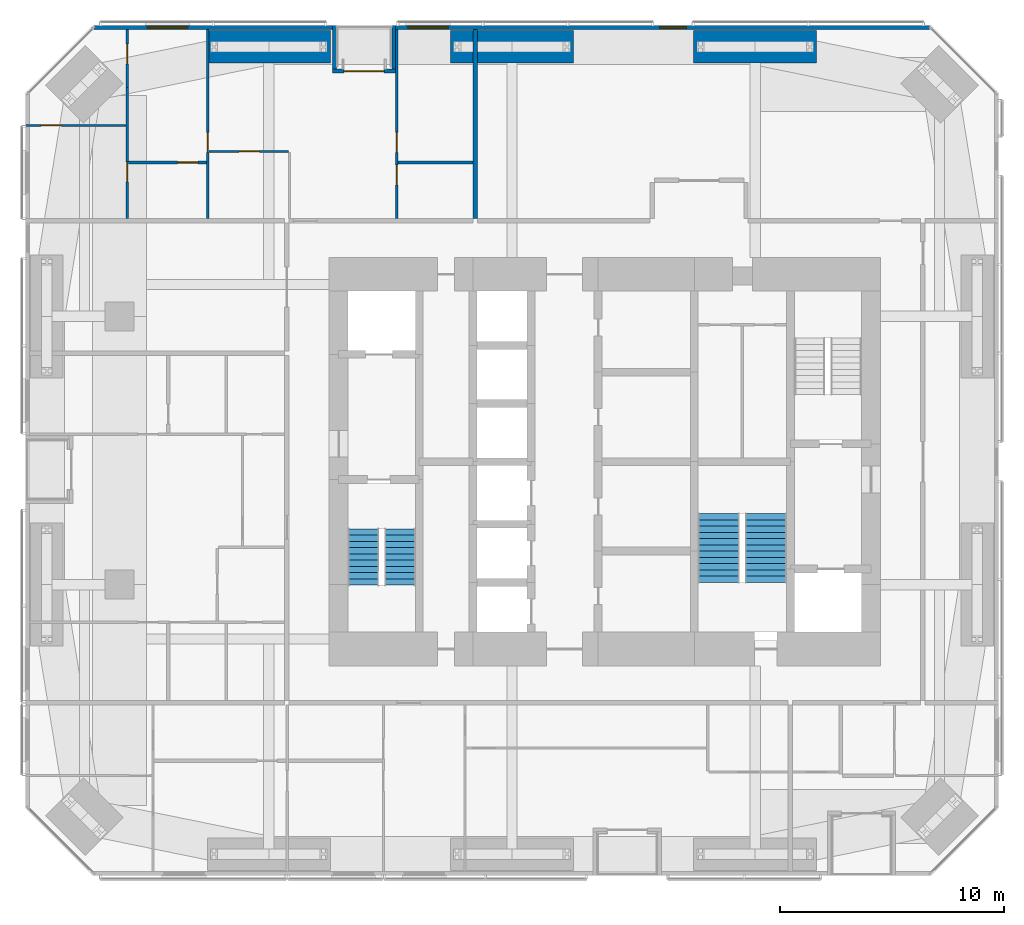
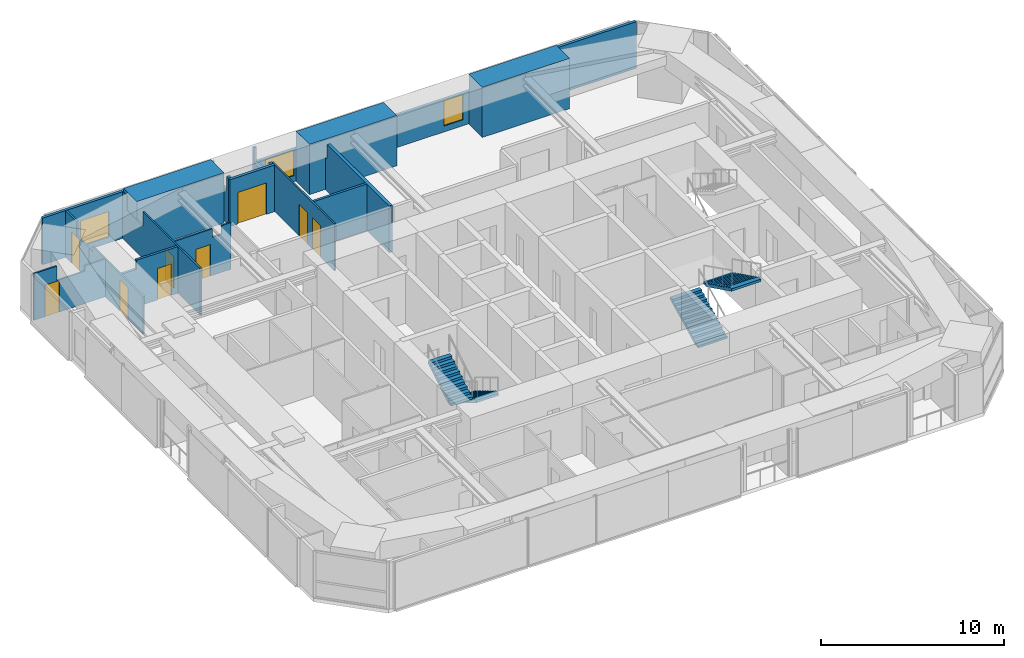
# One storey, part 22 of 24: 17 walls, 9 doors, 4 stair flights, 3 windows, 12 openings, 2 elements without a shape of their own.
"""IFC4 building model written with IfcOpenShell, lengths in metres."""

from ifc_helpers import new_model, si_unit, direction, frame, frame_2d, origin, place, context, subcontext, project, spatial, polyline, rectangle, outline, extrude, material, layer, layer_set, constituent, constituent_set, type_object, element, fill, aggregate, save


model = new_model("IFC4")

# Units and contexts
model_context = context("Model", 3, precision=1e-05, world=origin(), true_north=direction((0.0, 1.0)))
body_context = subcontext(model_context, "Body", "Model", "MODEL_VIEW")
ifc_project = project(units=[si_unit("LENGTHUNIT", "METRE"), si_unit("AREAUNIT", "SQUARE_METRE"), si_unit("VOLUMEUNIT", "CUBIC_METRE"), si_unit("PLANEANGLEUNIT", "RADIAN"), si_unit("MASSUNIT", "GRAM", prefix="KILO")], contexts=[model_context])

# Site, building, storey
site_placement = place(None, origin())
site = spatial("IfcSite", under=ifc_project, at=site_placement, CompositionType="ELEMENT")
building_placement = place(site_placement, origin())
building = spatial("IfcBuilding", under=site, at=building_placement, Name="Jalousie Tower", CompositionType="ELEMENT")
storey_placement = place(building_placement, frame((0.0, 0.0, 131.64990234375)))
storey = spatial("IfcBuildingStorey", under=building, at=storey_placement, Name="L36", CompositionType="ELEMENT", Elevation=131.64990234375)

# Wall, opening, door
ifc_material_1 = material(Name="Concrete block ASTM C90", Category="concrete")
ifc_constituent_1 = constituent(ifc_material_1, Name="Body")
ifc_material_2 = material(Name="Render")
ifc_constituent_2 = constituent(ifc_material_2, Name="Finish")
ifc_constituent_set_1 = constituent_set(constituents=[ifc_constituent_1, ifc_constituent_2])
wall_type_1 = type_object("IfcWallType", Name="BATHROOM WALL 150", PredefinedType="PLUMBINGWALL", material=ifc_constituent_set_1)
wall_1_placement = place(storey_placement, frame((10.60009765625, 31.875, 0.0), z_axis=(0.0, 0.0, 1.0), x_axis=(1.0, 0.0, 0.0)))
wall_1 = element("IfcWall", 1, at=wall_1_placement, inside=storey, type_object=wall_type_1, Name="Bathroom Wall 150 L36", PredefinedType="PLUMBINGWALL", context=body_context, shape_type="SweptSolid", body=[
    extrude(outline(polyline([(0.0, 0.0), (3.5, 0.0), (3.5, 3.110107421875), (0.885009765625, 3.110107421875), (0.885009765625, 2.510009765625), (0.0, 2.510009765625), (0.0, 3.110107421875), (0.0, 0.0)])), frame((0.0, 0.074951171875, 0.0), z_axis=(0.0, -1.0, 0.0), x_axis=(1.0, 0.0, 0.0)), (0.0, 0.0, 1.0), 0.14990234375),
])
opening_1_placement = place(wall_1_placement, frame((2.199951171875, 0.0, 0.0)))
opening_1 = element("IfcOpeningElement", 2, at=opening_1_placement, cuts=wall_1, Name="Opening D3", PredefinedType="OPENING", context=body_context, shape_type="SweptSolid", body=[
    extrude(rectangle(XDim=0.89990234375, YDim=2.10009765625, at=frame_2d((0.449951171875, 1.050048828125))), frame((0.0, 0.0849609375, 0.0), z_axis=(0.0, -1.0, 0.0), x_axis=(1.0, 0.0, 0.0)), (0.0, 0.0, 1.0), 0.169921875),
])
ifc_material_3 = material(Name="Timber door", Category="wood")
door_type_1 = type_object("IfcDoorType", Name="BATHROOM DOOR 900", OperationType="SINGLE_SWING_LEFT", PredefinedType="DOOR", material=ifc_material_3)
door_1_placement = place(opening_1_placement, frame((0.89990234375, 0.0, 0.0), z_axis=(0.0, 0.0, 1.0), x_axis=(-1.0, 0.0, 0.0)))
door_1 = element("IfcDoor", 3, at=door_1_placement, inside=storey, type_object=door_type_1, Name="Apartment 3603 bedroom 2 bathroom door", OperationType="SINGLE_SWING_LEFT", OverallHeight=2.10009765625, OverallWidth=0.89990234375, PredefinedType="DOOR", context=body_context, shape_type="SweptSolid", body=[
    extrude(rectangle(XDim=0.89990234375, YDim=2.10009765625, at=frame_2d((0.449951171875, 1.050048828125))), frame((0.0, 0.02490234375, 0.0), z_axis=(0.0, -1.0, 0.0), x_axis=(1.0, 0.0, 0.0)), (0.0, 0.0, 1.0), 0.050048828125),
])
fill(opening_1, door_1)

# Wall
wall_2_placement = place(storey_placement, frame((22.64990234375, 31.875, 0.0), z_axis=(0.0, 0.0, 1.0), x_axis=(1.0, 0.0, 0.0)))
element("IfcWall", 4, at=wall_2_placement, inside=storey, type_object=wall_type_1, Name="Bathroom Wall 150 L36", PredefinedType="PLUMBINGWALL", context=body_context, shape_type="SweptSolid", body=[
    extrude(rectangle(XDim=3.35009765625, YDim=0.14990234375, at=frame_2d((1.675048828125, 0.0))), origin(), (0.0, 0.0, 1.0), 3.110107421875),
])

# Wall, openings, windows
ifc_material_4 = material(Name="Concrete f'c 40 MPa", Category="concrete")
ifc_constituent_3 = constituent(ifc_material_4, Name="Body")
ifc_material_5 = material(Name="Render, pastel sea green")
ifc_constituent_4 = constituent(ifc_material_5, Name="Finish")
ifc_constituent_set_2 = constituent_set(constituents=[ifc_constituent_3, ifc_constituent_4])
wall_type_2 = type_object("IfcWallType", Name="EXTERNAL WALL 175 SEA GREEN RENDER", PredefinedType="SOLIDWALL", material=ifc_constituent_set_2)
wall_3_placement = place(storey_placement, frame((46.44873046875, 37.91259765625, 0.0), z_axis=(0.0, 0.0, 1.0), x_axis=(-1.0, 0.0, 0.0)))
wall_3 = element("IfcWall", 5, at=wall_3_placement, inside=storey, type_object=wall_type_2, Name="External Wall 175 Sea Green Render L36", PredefinedType="SOLIDWALL", context=body_context, shape_type="SweptSolid", body=[
    extrude(outline(polyline([(0.0, 0.0), (23.898681640625, 0.0), (23.898681640625, 2.150146484375), (7.82373046875, 2.150146484375), (7.82373046875, 3.110107421875), (7.66552734375, 3.110107421875), (7.66552734375, 2.150146484375), (7.620361328125, 2.150146484375), (7.620361328125, 3.110107421875), (0.0, 3.110107421875), (0.0, 0.0)])), frame((0.0, 0.08740234375, 0.0), z_axis=(0.0, -1.0, 0.0), x_axis=(1.0, 0.0, 0.0)), (0.0, 0.0, 1.0), 0.175048828125),
])
opening_2_placement = place(wall_3_placement, frame((10.900390625, 0.0, 0.39990234375)))
opening_2 = element("IfcOpeningElement", 6, at=opening_2_placement, cuts=wall_3, Name="Opening W-COR170", PredefinedType="OPENING", context=body_context, shape_type="SweptSolid", body=[
    extrude(rectangle(XDim=1.199951171875, YDim=1.699951171875, at=frame_2d((0.60009765625, 0.85009765625))), frame((0.0, 0.097412109375, 0.0), z_axis=(0.0, -1.0, 0.0), x_axis=(1.0, 0.0, 0.0)), (0.0, 0.0, 1.0), 0.195068359375),
])
opening_3_placement = place(wall_3_placement, frame((21.55859375, 0.0, 0.39990234375)))
opening_3 = element("IfcOpeningElement", 7, at=opening_3_placement, cuts=wall_3, Name="Opening W-BED170", PredefinedType="OPENING", context=body_context, shape_type="SweptSolid", body=[
    extrude(rectangle(XDim=1.800048828125, YDim=1.699951171875, at=frame_2d((0.89990234375, 0.85009765625))), frame((0.0, 0.097412109375, 0.0), z_axis=(0.0, -1.0, 0.0), x_axis=(1.0, 0.0, 0.0)), (0.0, 0.0, 1.0), 0.195068359375),
])
ifc_material_6 = material(Name="Aluminium frame, impact-rated glazing", Category="aluminium")
window_type_1 = type_object("IfcWindowType", Name="WINDOW BED 1800x1700", PartitioningType="SINGLE_PANEL", PredefinedType="WINDOW", material=ifc_material_6)
window_1_placement = place(opening_3_placement, origin())
window_1 = element("IfcWindow", 8, at=window_1_placement, inside=storey, type_object=window_type_1, Name="Apartment 3603 bedroom 3 window", OverallHeight=1.699951171875, OverallWidth=1.800048828125, PartitioningType="SINGLE_PANEL", PredefinedType="WINDOW", context=body_context, shape_type="SweptSolid", body=[
    extrude(rectangle(XDim=1.800048828125, YDim=1.699951171875, at=frame_2d((0.89990234375, 0.85009765625))), frame((0.0, 0.030029296875, 0.0), z_axis=(0.0, -1.0, 0.0), x_axis=(1.0, 0.0, 0.0)), (0.0, 0.0, 1.0), 0.06005859375),
])
fill(opening_3, window_1)
ifc_material_7 = material(Name="Aluminium frame, impact-rated glazing", Category="aluminium")
window_type_2 = type_object("IfcWindowType", Name="WINDOW COR 1200x1700", PartitioningType="SINGLE_PANEL", PredefinedType="WINDOW", material=ifc_material_7)
window_2_placement = place(opening_2_placement, origin())
window_2 = element("IfcWindow", 9, at=window_2_placement, inside=storey, type_object=window_type_2, Name="Residents' bay-view lounge window", OverallHeight=1.699951171875, OverallWidth=1.199951171875, PartitioningType="SINGLE_PANEL", PredefinedType="WINDOW", context=body_context, shape_type="SweptSolid", body=[
    extrude(rectangle(XDim=1.199951171875, YDim=1.699951171875, at=frame_2d((0.60009765625, 0.85009765625))), frame((0.0, 0.030029296875, 0.0), z_axis=(0.0, -1.0, 0.0), x_axis=(1.0, 0.0, 0.0)), (0.0, 0.0, 1.0), 0.06005859375),
])
fill(opening_2, window_2)

# Wall, opening, window
wall_4_placement = place(storey_placement, frame((19.72509765625, 37.91259765625, 0.0), z_axis=(0.0, 0.0, 1.0), x_axis=(-1.0, 0.0, 0.0)))
wall_4 = element("IfcWall", 10, at=wall_4_placement, inside=storey, type_object=wall_type_2, Name="External Wall 175 Sea Green Render L36", PredefinedType="SOLIDWALL", context=body_context, shape_type="SweptSolid", body=[
    extrude(outline(polyline([(0.0, 0.0), (10.673828125, 0.0), (10.673583984375, 3.110107421875), (3.05322265625, 3.110107421875), (3.05322265625, 2.150146484375), (3.008056640625, 2.150146484375), (3.008056640625, 3.110107421875), (2.85009765625, 3.110107421875), (2.85009765625, 2.150146484375), (0.0, 2.150146484375), (0.0, 0.0)])), frame((0.0, 0.08740234375, 0.0), z_axis=(0.0, -1.0, 0.0), x_axis=(1.0, 0.0, 0.0)), (0.0, 0.0, 1.0), 0.175048828125),
])
opening_4_placement = place(wall_4_placement, frame((6.47509765625, 0.0, 0.39990234375)))
opening_4 = element("IfcOpeningElement", 11, at=opening_4_placement, cuts=wall_4, Name="Opening W-BED170", PredefinedType="OPENING", context=body_context, shape_type="SweptSolid", body=[
    extrude(rectangle(XDim=1.800048828125, YDim=1.699951171875, at=frame_2d((0.89990234375, 0.85009765625))), frame((0.0, 0.097412109375, 0.0), z_axis=(0.0, -1.0, 0.0), x_axis=(1.0, 0.0, 0.0)), (0.0, 0.0, 1.0), 0.195068359375),
])
window_3_placement = place(opening_4_placement, origin())
window_3 = element("IfcWindow", 12, at=window_3_placement, inside=storey, type_object=window_type_1, Name="Apartment 3603 bedroom 2 window", OverallHeight=1.699951171875, OverallWidth=1.800048828125, PartitioningType="SINGLE_PANEL", PredefinedType="WINDOW", context=body_context, shape_type="SweptSolid", body=[
    extrude(rectangle(XDim=1.800048828125, YDim=1.699951171875, at=frame_2d((0.89990234375, 0.85009765625))), frame((0.0, 0.030029296875, 0.0), z_axis=(0.0, -1.0, 0.0), x_axis=(1.0, 0.0, 0.0)), (0.0, 0.0, 1.0), 0.06005859375),
])
fill(opening_4, window_3)

# Wall, opening, door
wall_5_placement = place(storey_placement, frame((22.550048828125, 35.96240234375, 0.0), z_axis=(0.0, 0.0, 1.0), x_axis=(-1.0, 0.0, 0.0)))
wall_5 = element("IfcWall", 13, at=wall_5_placement, inside=storey, type_object=wall_type_2, Name="External Wall 175 Sea Green Render L36", PredefinedType="SOLIDWALL", context=body_context, shape_type="SweptSolid", body=[
    extrude(rectangle(XDim=2.824951171875, YDim=0.175048828125, at=frame_2d((1.41259765625, 0.0))), origin(), (0.0, 0.0, 1.0), 3.110107421875),
])
opening_5_placement = place(wall_5_placement, frame((0.512451171875, 0.0, 0.0)))
opening_5 = element("IfcOpeningElement", 14, at=opening_5_placement, cuts=wall_5, Name="Opening D-BAL21", PredefinedType="OPENING", context=body_context, shape_type="SweptSolid", body=[
    extrude(rectangle(XDim=1.800048828125, YDim=2.10009765625, at=frame_2d((0.89990234375, 1.050048828125))), frame((0.0, 0.097412109375, 0.0), z_axis=(0.0, -1.0, 0.0), x_axis=(1.0, 0.0, 0.0)), (0.0, 0.0, 1.0), 0.195068359375),
])
ifc_material_8 = material(Name="Aluminium frame, impact-rated glazing", Category="aluminium")
door_type_2 = type_object("IfcDoorType", Name="BALCONY DOOR 1800x2100", OperationType="SLIDING_TO_LEFT", PredefinedType="DOOR", material=ifc_material_8)
door_2_placement = place(opening_5_placement, origin())
door_2 = element("IfcDoor", 15, at=door_2_placement, inside=storey, type_object=door_type_2, Name="Apartment 3603 living and dining room loggia door", OperationType="SLIDING_TO_LEFT", OverallHeight=2.10009765625, OverallWidth=1.800048828125, PredefinedType="DOOR", context=body_context, shape_type="SweptSolid", body=[
    extrude(rectangle(XDim=1.800048828125, YDim=2.10009765625, at=frame_2d((0.89990234375, 1.050048828125))), frame((0.0, 0.02490234375, 0.0), z_axis=(0.0, -1.0, 0.0), x_axis=(1.0, 0.0, 0.0)), (0.0, 0.0, 1.0), 0.050048828125),
])
fill(opening_5, door_2)

# Walls
for number, where, z_axis, x_axis, name in (
    (16, (22.46240234375, 38.0, 0.0), (0.0, 0.0, 1.0), (0.0, -1.0, 0.0), "External Wall 175 Sea Green Render L36"),
    (17, (19.8125, 38.0, 0.0), (0.0, 0.0, 1.0), (0.0, -1.0, 0.0), "External Wall 175 Sea Green Render L36"),
):
    element("IfcWall", number, at=place(storey_placement, frame(where, z_axis=z_axis, x_axis=x_axis)), inside=storey, type_object=wall_type_2, Name=name, PredefinedType="SOLIDWALL", context=body_context, shape_type="SweptSolid", body=[
        extrude(outline(polyline([(0.0, 0.0), (1.949951171875, 0.0), (1.949951171875, 3.110107421875), (1.75, 3.110107421875), (1.75, 2.150146484375), (0.14990234375, 2.150146484375), (0.14990234375, 3.110107421875), (0.0, 3.110107421875), (0.0, 0.0)])), frame((0.0, 0.08740234375, 0.0), z_axis=(0.0, -1.0, 0.0), x_axis=(1.0, 0.0, 0.0)), (0.0, 0.0, 1.0), 0.175048828125),
    ])

# Wall, opening, door
ifc_material_9 = material(Name="Gypsum board", Category="gypsum")
ifc_constituent_5 = constituent(ifc_material_9, Name="Body")
ifc_material_10 = material(Name="Light-gauge steel studs ASTM A653 SS Grade 33", Category="steel")
ifc_constituent_6 = constituent(ifc_material_10, Name="Framing")
ifc_constituent_set_3 = constituent_set(constituents=[ifc_constituent_5, ifc_constituent_6])
wall_type_3 = type_object("IfcWallType", Name="PARTITION 100", PredefinedType="PARTITIONING", material=ifc_constituent_set_3)
wall_6_placement = place(storey_placement, frame((10.550048828125, 37.824951171875, 0.0), z_axis=(0.0, 0.0, 1.0), x_axis=(0.0, -1.0, 0.0)))
wall_6 = element("IfcWall", 18, at=wall_6_placement, inside=storey, type_object=wall_type_3, Name="Partition 100 L36-A", PredefinedType="PARTITIONING", context=body_context, shape_type="SweptSolid", body=[
    extrude(outline(polyline([(0.0, 0.0), (2.5849609375, 0.0), (2.5849609375, 2.150146484375), (1.1875, 2.150146484375), (1.1875, 3.110107421875), (0.0, 3.110107421875), (0.0, 0.0)])), frame((0.0, 0.050048828125, 0.0), z_axis=(0.0, -1.0, 0.0), x_axis=(1.0, 0.0, 0.0)), (0.0, 0.0, 1.0), 0.10009765625),
])
opening_6_placement = place(wall_6_placement, frame((0.638916015625, 0.0, 0.0)))
opening_6 = element("IfcOpeningElement", 19, at=opening_6_placement, cuts=wall_6, Name="Opening D2", PredefinedType="OPENING", context=body_context, shape_type="SweptSolid", body=[
    extrude(rectangle(XDim=0.89990234375, YDim=2.10009765625, at=frame_2d((0.449951171875, 1.050048828125))), frame((0.0, 0.06005859375, 0.0), z_axis=(0.0, -1.0, 0.0), x_axis=(1.0, 0.0, 0.0)), (0.0, 0.0, 1.0), 0.1201171875),
])
ifc_material_11 = material(Name="Timber door", Category="wood")
door_type_3 = type_object("IfcDoorType", Name="BEDROOM DOOR 900", OperationType="SINGLE_SWING_LEFT", PredefinedType="DOOR", material=ifc_material_11)
door_3_placement = place(opening_6_placement, origin())
door_3 = element("IfcDoor", 20, at=door_3_placement, inside=storey, type_object=door_type_3, Name="Apartment 3603 bedroom 1 door", OperationType="SINGLE_SWING_LEFT", OverallHeight=2.10009765625, OverallWidth=0.89990234375, PredefinedType="DOOR", context=body_context, shape_type="SweptSolid", body=[
    extrude(rectangle(XDim=0.89990234375, YDim=2.10009765625, at=frame_2d((0.449951171875, 1.050048828125))), frame((0.0, 0.02490234375, 0.0), z_axis=(0.0, -1.0, 0.0), x_axis=(1.0, 0.0, 0.0)), (0.0, 0.0, 1.0), 0.050048828125),
])
fill(opening_6, door_3)

wall_7_placement = place(storey_placement, frame((10.550048828125, 35.239990234375, 0.0), z_axis=(0.0, 0.0, 1.0), x_axis=(0.0, -1.0, 0.0)))
wall_7 = element("IfcWall", 21, at=wall_7_placement, inside=storey, type_object=wall_type_3, Name="Partition 100 L36-B", PredefinedType="PARTITIONING", context=body_context, shape_type="SweptSolid", body=[
    extrude(outline(polyline([(0.0, 0.0), (5.864990234375, 0.0), (5.864990234375, 2.510009765625), (0.35791015625, 2.510009765625), (0.35791015625, 2.150146484375), (0.0, 2.150146484375), (0.0, 0.0)])), frame((0.0, 0.050048828125, 0.0), z_axis=(0.0, -1.0, 0.0), x_axis=(1.0, 0.0, 0.0)), (0.0, 0.0, 1.0), 0.10009765625),
])
opening_7_placement = place(wall_7_placement, frame((3.33447265625, 0.0, 0.0)))
opening_7 = element("IfcOpeningElement", 22, at=opening_7_placement, cuts=wall_7, Name="Opening D3", PredefinedType="OPENING", context=body_context, shape_type="SweptSolid", body=[
    extrude(rectangle(XDim=0.89990234375, YDim=2.10009765625, at=frame_2d((0.449951171875, 1.050048828125))), frame((0.0, 0.06005859375, 0.0), z_axis=(0.0, -1.0, 0.0), x_axis=(1.0, 0.0, 0.0)), (0.0, 0.0, 1.0), 0.1201171875),
])
door_4_placement = place(opening_7_placement, origin())
door_4 = element("IfcDoor", 23, at=door_4_placement, inside=storey, type_object=door_type_1, Name="Apartment 3603 bedroom 1 bathroom door", OperationType="SINGLE_SWING_RIGHT", OverallHeight=2.10009765625, OverallWidth=0.89990234375, PredefinedType="DOOR", context=body_context, shape_type="SweptSolid", body=[
    extrude(rectangle(XDim=0.89990234375, YDim=2.10009765625, at=frame_2d((0.449951171875, 1.050048828125))), frame((0.0, 0.02490234375, 0.0), z_axis=(0.0, -1.0, 0.0), x_axis=(1.0, 0.0, 0.0)), (0.0, 0.0, 1.0), 0.050048828125),
])
fill(opening_7, door_4)

wall_8_placement = place(storey_placement, frame((14.14990234375, 37.824951171875, 0.0), z_axis=(0.0, 0.0, 1.0), x_axis=(0.0, -1.0, 0.0)))
wall_8 = element("IfcWall", 24, at=wall_8_placement, inside=storey, type_object=wall_type_3, Name="Partition 100 L36", PredefinedType="PARTITIONING", context=body_context, shape_type="SweptSolid", body=[
    extrude(outline(polyline([(0.0, 0.0), (8.449951171875, 0.0), (8.449951171875, 3.110107421875), (2.20849609375, 3.110107421875), (2.20849609375, 2.150146484375), (0.453125, 2.150146484375), (0.453125, 3.110107421875), (0.0, 3.110107421875), (0.0, 0.0)])), frame((0.0, 0.050048828125, 0.0), z_axis=(0.0, -1.0, 0.0), x_axis=(1.0, 0.0, 0.0)), (0.0, 0.0, 1.0), 0.10009765625),
])
opening_8_placement = place(wall_8_placement, frame((4.60009765625, 0.0, 0.0)))
opening_8 = element("IfcOpeningElement", 25, at=opening_8_placement, cuts=wall_8, Name="Opening D2", PredefinedType="OPENING", context=body_context, shape_type="SweptSolid", body=[
    extrude(rectangle(XDim=0.89990234375, YDim=2.10009765625, at=frame_2d((0.449951171875, 1.050048828125))), frame((0.0, 0.06005859375, 0.0), z_axis=(0.0, -1.0, 0.0), x_axis=(1.0, 0.0, 0.0)), (0.0, 0.0, 1.0), 0.1201171875),
])
door_5_placement = place(opening_8_placement, frame((0.89990234375, 0.0, 0.0), z_axis=(0.0, 0.0, 1.0), x_axis=(-1.0, 0.0, 0.0)))
door_5 = element("IfcDoor", 26, at=door_5_placement, inside=storey, type_object=door_type_3, Name="Apartment 3603 bedroom 2 door", OperationType="SINGLE_SWING_LEFT", OverallHeight=2.10009765625, OverallWidth=0.89990234375, PredefinedType="DOOR", context=body_context, shape_type="SweptSolid", body=[
    extrude(rectangle(XDim=0.89990234375, YDim=2.10009765625, at=frame_2d((0.449951171875, 1.050048828125))), frame((0.0, 0.02490234375, 0.0), z_axis=(0.0, -1.0, 0.0), x_axis=(1.0, 0.0, 0.0)), (0.0, 0.0, 1.0), 0.050048828125),
])
fill(opening_8, door_5)

# Wall, openings, doors
wall_9_placement = place(storey_placement, frame((22.60009765625, 37.824951171875, 0.0), z_axis=(0.0, 0.0, 1.0), x_axis=(0.0, -1.0, 0.0)))
wall_9 = element("IfcWall", 27, at=wall_9_placement, inside=storey, type_object=wall_type_3, Name="Partition 100 L36", PredefinedType="PARTITIONING", context=body_context, shape_type="SweptSolid", body=[
    extrude(outline(polyline([(0.0, 0.0), (8.449951171875, 0.0), (8.449951171875, 3.110107421875), (1.635009765625, 3.110107421875), (1.635009765625, 2.150146484375), (0.0, 2.150146484375), (0.0, 3.110107421875), (0.0, 0.0)])), frame((0.0, 0.050048828125, 0.0), z_axis=(0.0, -1.0, 0.0), x_axis=(1.0, 0.0, 0.0)), (0.0, 0.0, 1.0), 0.10009765625),
])
opening_9_placement = place(wall_9_placement, frame((4.60009765625, 0.0, 0.0)))
opening_9 = element("IfcOpeningElement", 28, at=opening_9_placement, cuts=wall_9, Name="Opening D2", PredefinedType="OPENING", context=body_context, shape_type="SweptSolid", body=[
    extrude(rectangle(XDim=0.89990234375, YDim=2.10009765625, at=frame_2d((0.449951171875, 1.050048828125))), frame((0.0, 0.06005859375, 0.0), z_axis=(0.0, -1.0, 0.0), x_axis=(1.0, 0.0, 0.0)), (0.0, 0.0, 1.0), 0.1201171875),
])
opening_10_placement = place(wall_9_placement, frame((6.050048828125, 0.0, 0.0)))
opening_10 = element("IfcOpeningElement", 29, at=opening_10_placement, cuts=wall_9, Name="Opening D7", PredefinedType="OPENING", context=body_context, shape_type="SweptSolid", body=[
    extrude(rectangle(XDim=0.89990234375, YDim=2.10009765625, at=frame_2d((0.449951171875, 1.050048828125))), frame((0.0, 0.06005859375, 0.0), z_axis=(0.0, -1.0, 0.0), x_axis=(1.0, 0.0, 0.0)), (0.0, 0.0, 1.0), 0.1201171875),
])
door_6_placement = place(opening_9_placement, origin())
door_6 = element("IfcDoor", 30, at=door_6_placement, inside=storey, type_object=door_type_3, Name="Apartment 3603 bedroom 3 door", OperationType="SINGLE_SWING_RIGHT", OverallHeight=2.10009765625, OverallWidth=0.89990234375, PredefinedType="DOOR", context=body_context, shape_type="SweptSolid", body=[
    extrude(rectangle(XDim=0.89990234375, YDim=2.10009765625, at=frame_2d((0.449951171875, 1.050048828125))), frame((0.0, 0.02490234375, 0.0), z_axis=(0.0, -1.0, 0.0), x_axis=(1.0, 0.0, 0.0)), (0.0, 0.0, 1.0), 0.050048828125),
])
fill(opening_9, door_6)
ifc_material_12 = material(Name="Timber door", Category="wood")
door_type_4 = type_object("IfcDoorType", Name="INTERNAL DOOR 900", OperationType="SINGLE_SWING_LEFT", PredefinedType="DOOR", material=ifc_material_12)
door_7_placement = place(opening_10_placement, origin())
door_7 = element("IfcDoor", 31, at=door_7_placement, inside=storey, type_object=door_type_4, Name="Apartment 3603 bathroom door", OperationType="SINGLE_SWING_LEFT", OverallHeight=2.10009765625, OverallWidth=0.89990234375, PredefinedType="DOOR", context=body_context, shape_type="SweptSolid", body=[
    extrude(rectangle(XDim=0.89990234375, YDim=2.10009765625, at=frame_2d((0.449951171875, 1.050048828125))), frame((0.0, 0.02490234375, 0.0), z_axis=(0.0, -1.0, 0.0), x_axis=(1.0, 0.0, 0.0)), (0.0, 0.0, 1.0), 0.050048828125),
])
fill(opening_10, door_7)

# Wall, opening, door
wall_10_placement = place(storey_placement, frame((6.0, 33.5361328125, 0.0), z_axis=(0.0, 0.0, 1.0), x_axis=(1.0, 0.0, 0.0)))
wall_10 = element("IfcWall", 32, at=wall_10_placement, inside=storey, type_object=wall_type_3, Name="Partition 100 L36", PredefinedType="PARTITIONING", context=body_context, shape_type="SweptSolid", body=[
    extrude(outline(polyline([(0.0, 0.0), (4.5, 0.0), (4.5, 3.110107421875), (4.5, 2.510009765625), (3.20556640625, 2.510009765625), (3.20556640625, 2.150146484375), (1.462890625, 2.150146484375), (1.462890625, 3.110107421875), (0.0, 3.110107421875), (0.0, 0.0)])), frame((0.0, 0.050048828125, 0.0), z_axis=(0.0, -1.0, 0.0), x_axis=(1.0, 0.0, 0.0)), (0.0, 0.0, 1.0), 0.10009765625),
])
opening_11_placement = place(wall_10_placement, frame((0.699951171875, 0.0, 0.0)))
opening_11 = element("IfcOpeningElement", 33, at=opening_11_placement, cuts=wall_10, Name="Opening D7", PredefinedType="OPENING", context=body_context, shape_type="SweptSolid", body=[
    extrude(rectangle(XDim=0.89990234375, YDim=2.10009765625, at=frame_2d((0.449951171875, 1.050048828125))), frame((0.0, 0.06005859375, 0.0), z_axis=(0.0, -1.0, 0.0), x_axis=(1.0, 0.0, 0.0)), (0.0, 0.0, 1.0), 0.1201171875),
])
door_8_placement = place(opening_11_placement, frame((0.89990234375, 0.0, 0.0), z_axis=(0.0, 0.0, 1.0), x_axis=(-1.0, 0.0, 0.0)))
door_8 = element("IfcDoor", 34, at=door_8_placement, inside=storey, type_object=door_type_4, Name="Apartment 3603 bedroom 1 dressing hall door", OperationType="SINGLE_SWING_RIGHT", OverallHeight=2.10009765625, OverallWidth=0.89990234375, PredefinedType="DOOR", context=body_context, shape_type="SweptSolid", body=[
    extrude(rectangle(XDim=0.89990234375, YDim=2.10009765625, at=frame_2d((0.449951171875, 1.050048828125))), frame((0.0, 0.02490234375, 0.0), z_axis=(0.0, -1.0, 0.0), x_axis=(1.0, 0.0, 0.0)), (0.0, 0.0, 1.0), 0.050048828125),
])
fill(opening_11, door_8)

wall_11_placement = place(storey_placement, frame((14.199951171875, 32.375, 0.0), z_axis=(0.0, 0.0, 1.0), x_axis=(1.0, 0.0, 0.0)))
wall_11 = element("IfcWall", 35, at=wall_11_placement, inside=storey, type_object=wall_type_3, Name="Partition 100 L36", PredefinedType="PARTITIONING", context=body_context, shape_type="SweptSolid", body=[
    extrude(outline(polyline([(0.0, 0.0), (3.550048828125, 0.0), (3.550048828125, 3.110107421875), (2.96240234375, 3.110107421875), (2.96240234375, 2.541015625), (2.3876953125, 2.541015625), (2.3876953125, 3.110107421875), (0.0, 3.110107421875), (0.0, 0.0)])), frame((0.0, 0.050048828125, 0.0), z_axis=(0.0, -1.0, 0.0), x_axis=(1.0, 0.0, 0.0)), (0.0, 0.0, 1.0), 0.10009765625),
])
opening_12_placement = place(wall_11_placement, frame((1.35009765625, 0.0, 0.0)))
opening_12 = element("IfcOpeningElement", 36, at=opening_12_placement, cuts=wall_11, Name="Opening D7", PredefinedType="OPENING", context=body_context, shape_type="SweptSolid", body=[
    extrude(rectangle(XDim=0.89990234375, YDim=2.10009765625, at=frame_2d((0.449951171875, 1.050048828125))), frame((0.0, 0.06005859375, 0.0), z_axis=(0.0, -1.0, 0.0), x_axis=(1.0, 0.0, 0.0)), (0.0, 0.0, 1.0), 0.1201171875),
])
door_9_placement = place(opening_12_placement, origin())
door_9 = element("IfcDoor", 37, at=door_9_placement, inside=storey, type_object=door_type_4, Name="Apartment 3603 kitchen door", OperationType="SINGLE_SWING_LEFT", OverallHeight=2.10009765625, OverallWidth=0.89990234375, PredefinedType="DOOR", context=body_context, shape_type="SweptSolid", body=[
    extrude(rectangle(XDim=0.89990234375, YDim=2.10009765625, at=frame_2d((0.449951171875, 1.050048828125))), frame((0.0, 0.02490234375, 0.0), z_axis=(0.0, -1.0, 0.0), x_axis=(1.0, 0.0, 0.0)), (0.0, 0.0, 1.0), 0.050048828125),
])
fill(opening_12, door_9)

# Walls
ifc_material_13 = material(Name="Concrete block ASTM C90", Category="concrete")
ifc_constituent_7 = constituent(ifc_material_13, Name="Body")
ifc_material_14 = material(Name="Render")
ifc_constituent_8 = constituent(ifc_material_14, Name="Finish")
ifc_constituent_set_4 = constituent_set(constituents=[ifc_constituent_7, ifc_constituent_8])
wall_type_4 = type_object("IfcWallType", Name="PARTY WALL 200", PredefinedType="PARTITIONING", material=ifc_constituent_set_4)
wall_12_placement = place(storey_placement, frame((26.10009765625, 37.824951171875, 0.0), z_axis=(0.0, 0.0, 1.0), x_axis=(0.0, -1.0, 0.0)))
element("IfcWall", 38, at=wall_12_placement, inside=storey, type_object=wall_type_4, Name="Party Wall 200 L36", PredefinedType="PARTITIONING", context=body_context, shape_type="SweptSolid", body=[
    extrude(outline(polyline([(0.52880859375, 2.150146484375), (0.0, 2.150146484375), (0.0, 0.0), (0.52880859375, 0.0), (0.52880859375, 0.376220703125), (1.021240234375, 0.376220703125), (1.021240234375, 0.0), (8.449951171875, 0.0), (8.449951171875, 3.110107421875), (1.68505859375, 3.110107421875), (1.68505859375, 2.150146484375), (1.021240234375, 2.150146484375), (1.021240234375, 1.77392578125), (0.52880859375, 1.77392578125), (0.52880859375, 2.150146484375)])), frame((0.0, 0.10009765625, 0.0), z_axis=(0.0, -1.0, 0.0), x_axis=(1.0, 0.0, 0.0)), (0.0, 0.0, 1.0), 0.199951171875),
])
ifc_material_15 = material(Name="Concrete f'c 120 MPa", Category="concrete")
ifc_layer = layer(ifc_material_15, 1.449951171875)
ifc_layer_set = layer_set([ifc_layer], Name="Concrete f'c 120 MPa")
wall_type_5 = type_object("IfcWallType", Name="RC WALL PIER 1450", PredefinedType="SHEAR", material=ifc_layer_set)
for number, where, z_axis, x_axis, name in (
    (39, (35.875, 37.050048828125, 0.0), (0.0, 0.0, 1.0), (1.0, 0.0, 0.0), "Wall pier 09 L36"),
    (40, (25.0, 37.050048828125, 0.0), (0.0, 0.0, 1.0), (1.0, 0.0, 0.0), "Wall pier 10 L36"),
    (41, (14.125, 37.050048828125, 0.0), (0.0, 0.0, 1.0), (1.0, 0.0, 0.0), "Wall pier 11 L36"),
):
    element("IfcWall", number, at=place(storey_placement, frame(where, z_axis=z_axis, x_axis=x_axis)), inside=storey, type_object=wall_type_5, Name=name, PredefinedType="SHEAR", context=body_context, shape_type="SweptSolid", body=[
        extrude(rectangle(XDim=5.5, YDim=1.449951171875, at=frame_2d((2.75, 0.0))), origin(), (0.0, 0.0, 1.0), 3.35009765625),
    ])

# Stair, stair flights
ifc_material_16 = material(Name="Concrete f'c 40 MPa", Category="concrete")
stair_type = type_object("IfcStairType", Name="EXIT STAIR", PredefinedType="HALF_TURN_STAIR", material=ifc_material_16)
stair_1_placement = place(storey_placement, origin())
stair_1 = element("IfcStair", 42, at=stair_1_placement, inside=storey, type_object=stair_type, Name="Exit stair A L36", PredefinedType="HALF_TURN_STAIR")
ifc_material_17 = material(Name="Concrete f'c 40 MPa", Category="concrete")
stair_flight_type = type_object("IfcStairFlightType", Name="STAIR FLIGHT", PredefinedType="STRAIGHT", material=ifc_material_17)
stair_flight_1_placement = place(storey_placement, frame((22.737548828125, 15.49755859375, 0.0), z_axis=(0.0, 0.0, 1.0), x_axis=(0.0, -1.0, 0.0)))
stair_flight_1 = element("IfcStairFlight", 43, at=stair_flight_1_placement, type_object=stair_flight_type, Name="ST-A flight 1", NumberOfRisers=10, NumberOfTreads=9, PredefinedType="STRAIGHT", RiserHeight=0.1675, TreadLength=0.28, context=body_context, shape_type="SweptSolid", body=[
    extrude(outline(polyline([(0.0, 0.0), (0.0, 0.16748046875), (0.280029296875, 0.16748046875), (0.280029296875, 0.3349609375), (0.56005859375, 0.3349609375), (0.56005859375, 0.50244140625), (0.840087890625, 0.50244140625), (0.840087890625, 0.669921875), (1.1201171875, 0.669921875), (1.1201171875, 0.83740234375), (1.39990234375, 0.83740234375), (1.39990234375, 1.0048828125), (1.679931640625, 1.0048828125), (1.679931640625, 1.172607421875), (1.9599609375, 1.172607421875), (1.9599609375, 1.340087890625), (2.239990234375, 1.340087890625), (2.239990234375, 1.507568359375), (2.52001953125, 1.507568359375), (2.52001953125, 1.675048828125), (2.52001953125, 1.332763671875), (0.2919921875, 0.0), (0.0, 0.0)])), frame((0.0, 0.6875, 0.0), z_axis=(0.0, -1.0, 0.0), x_axis=(1.0, 0.0, 0.0)), (0.0, 0.0, 1.0), 1.375),
])
stair_flight_2_placement = place(storey_placement, frame((21.112548828125, 12.9775390625, 1.675048828125), z_axis=(0.0, 0.0, 1.0), x_axis=(0.0, 1.0, 0.0)))
stair_flight_2 = element("IfcStairFlight", 44, at=stair_flight_2_placement, type_object=stair_flight_type, Name="ST-A flight 2", NumberOfRisers=10, NumberOfTreads=9, PredefinedType="STRAIGHT", RiserHeight=0.1675, TreadLength=0.28, context=body_context, shape_type="SweptSolid", body=[
    extrude(outline(polyline([(0.0, 0.0), (0.0, 0.16748046875), (0.280029296875, 0.16748046875), (0.280029296875, 0.3349609375), (0.56005859375, 0.3349609375), (0.56005859375, 0.50244140625), (0.840087890625, 0.50244140625), (0.840087890625, 0.669921875), (1.1201171875, 0.669921875), (1.1201171875, 0.83740234375), (1.39990234375, 0.83740234375), (1.39990234375, 1.0048828125), (1.679931640625, 1.0048828125), (1.679931640625, 1.172607421875), (1.9599609375, 1.172607421875), (1.9599609375, 1.340087890625), (2.239990234375, 1.340087890625), (2.239990234375, 1.507568359375), (2.52001953125, 1.507568359375), (2.52001953125, 1.675048828125), (2.52001953125, 1.332763671875), (0.2919921875, 0.0), (0.0, 0.0)])), frame((0.0, 0.6875, 0.0), z_axis=(0.0, -1.0, 0.0), x_axis=(1.0, 0.0, 0.0)), (0.0, 0.0, 1.0), 1.375),
])
aggregate(stair_1, [stair_flight_1, stair_flight_2])

stair_2_placement = place(storey_placement, origin())
stair_2 = element("IfcStair", 45, at=stair_2_placement, inside=storey, type_object=stair_type, Name="Exit stair C L36", PredefinedType="HALF_TURN_STAIR")
stair_flight_3_placement = place(storey_placement, frame((37.0, 13.097412109375, 0.0), z_axis=(0.0, 0.0, 1.0), x_axis=(0.0, 1.0, 0.0)))
stair_flight_3 = element("IfcStairFlight", 46, at=stair_flight_3_placement, type_object=stair_flight_type, Name="ST-C flight 1", NumberOfRisers=12, NumberOfTreads=11, PredefinedType="STRAIGHT", RiserHeight=0.139583333, TreadLength=0.28, context=body_context, shape_type="SweptSolid", body=[
    extrude(outline(polyline([(0.0, 0.0), (0.0, 0.1396484375), (0.280029296875, 0.1396484375), (0.280029296875, 0.279052734375), (0.56005859375, 0.279052734375), (0.56005859375, 0.418701171875), (0.840087890625, 0.418701171875), (0.840087890625, 0.558349609375), (1.1201171875, 0.558349609375), (1.1201171875, 0.697998046875), (1.39990234375, 0.697998046875), (1.39990234375, 0.83740234375), (1.679931640625, 0.83740234375), (1.679931640625, 0.97705078125), (1.9599609375, 0.97705078125), (1.9599609375, 1.11669921875), (2.239990234375, 1.11669921875), (2.239990234375, 1.25634765625), (2.52001953125, 1.25634765625), (2.52001953125, 1.395751953125), (2.800048828125, 1.395751953125), (2.800048828125, 1.535400390625), (3.080078125, 1.535400390625), (3.080078125, 1.675048828125), (3.080078125, 1.367919921875), (0.3359375, 0.0), (0.0, 0.0)])), frame((0.0, 0.925048828125, 0.0), z_axis=(0.0, -1.0, 0.0), x_axis=(1.0, 0.0, 0.0)), (0.0, 0.0, 1.0), 1.85009765625),
])
stair_flight_4_placement = place(storey_placement, frame((39.10009765625, 16.177490234375, 1.675048828125), z_axis=(0.0, 0.0, 1.0), x_axis=(0.0, -1.0, 0.0)))
stair_flight_4 = element("IfcStairFlight", 47, at=stair_flight_4_placement, type_object=stair_flight_type, Name="ST-C flight 2", NumberOfRisers=12, NumberOfTreads=11, PredefinedType="STRAIGHT", RiserHeight=0.139583333, TreadLength=0.28, context=body_context, shape_type="SweptSolid", body=[
    extrude(outline(polyline([(0.0, 0.0), (0.0, 0.1396484375), (0.280029296875, 0.1396484375), (0.280029296875, 0.279052734375), (0.56005859375, 0.279052734375), (0.56005859375, 0.418701171875), (0.840087890625, 0.418701171875), (0.840087890625, 0.558349609375), (1.1201171875, 0.558349609375), (1.1201171875, 0.697998046875), (1.39990234375, 0.697998046875), (1.39990234375, 0.83740234375), (1.679931640625, 0.83740234375), (1.679931640625, 0.97705078125), (1.9599609375, 0.97705078125), (1.9599609375, 1.11669921875), (2.239990234375, 1.11669921875), (2.239990234375, 1.25634765625), (2.52001953125, 1.25634765625), (2.52001953125, 1.395751953125), (2.800048828125, 1.395751953125), (2.800048828125, 1.535400390625), (3.080078125, 1.535400390625), (3.080078125, 1.675048828125), (3.080078125, 1.367919921875), (0.3359375, 0.0), (0.0, 0.0)])), frame((0.0, 0.925048828125, 0.0), z_axis=(0.0, -1.0, 0.0), x_axis=(1.0, 0.0, 0.0)), (0.0, 0.0, 1.0), 1.85009765625),
])
aggregate(stair_2, [stair_flight_3, stair_flight_4])

save(model, "model.ifc")
